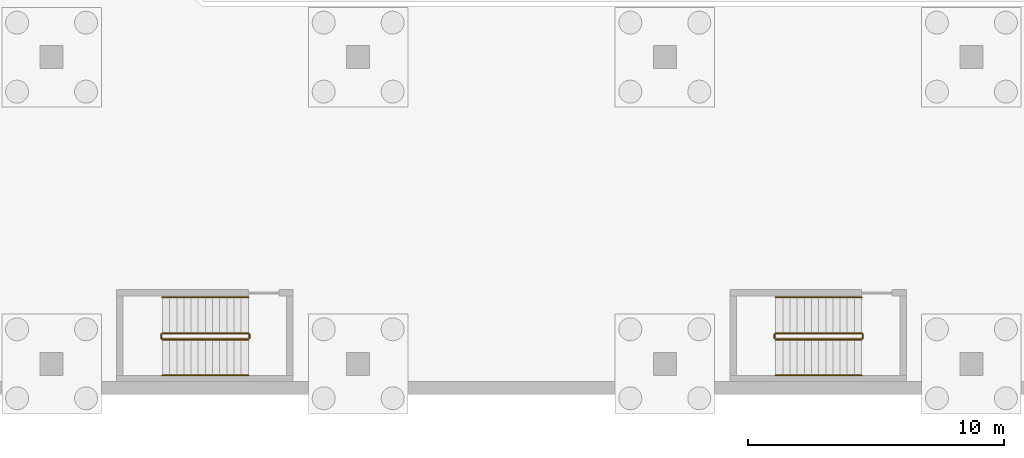
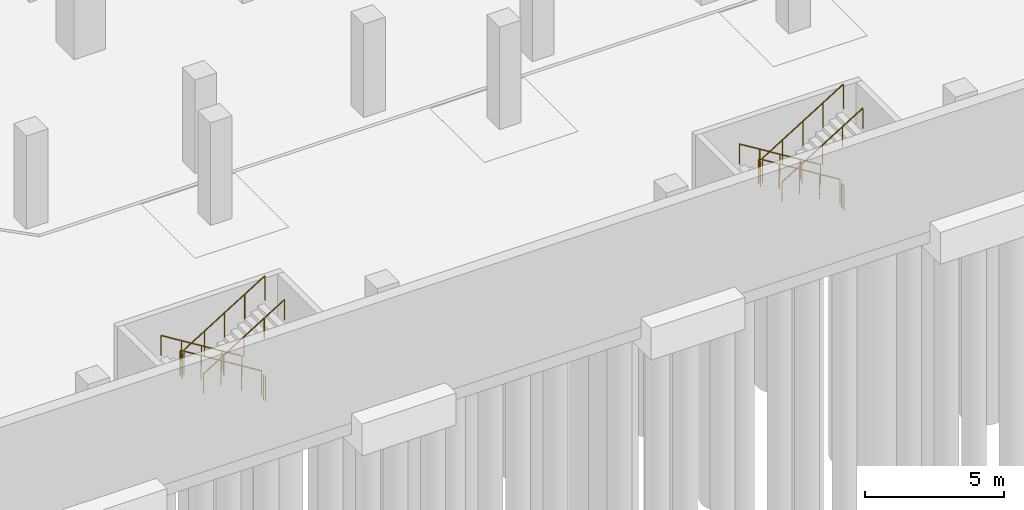
# One storey, part 13 of 15: 12 railings.
"""IFC4 building model written with IfcOpenShell, lengths in metres."""

from ifc_helpers import new_model, si_unit, direction, frame, origin, origin_2d, place, context, subcontext, project, spatial, circle, extrude, material, type_object, element, save


model = new_model("IFC4")

# Units and contexts
model_context = context("Model", 3, precision=1e-05, world=origin(), true_north=direction((0.0, 1.0)))
body_context = subcontext(model_context, "Body", "Model", "MODEL_VIEW")
ifc_project = project(units=[si_unit("LENGTHUNIT", "METRE"), si_unit("AREAUNIT", "SQUARE_METRE"), si_unit("VOLUMEUNIT", "CUBIC_METRE"), si_unit("PLANEANGLEUNIT", "RADIAN"), si_unit("MASSUNIT", "GRAM", prefix="KILO")], contexts=[model_context])

# Site, building, storey
site_placement = place(None, origin())
site = spatial("IfcSite", under=ifc_project, at=site_placement, CompositionType="ELEMENT")
building_placement = place(site_placement, origin())
building = spatial("IfcBuilding", under=site, at=building_placement, Name="Kilnfold Tower and Market Hall", CompositionType="ELEMENT")
storey_placement = place(building_placement, frame((0.0, 0.0, -9.0)))
storey = spatial("IfcBuildingStorey", under=building, at=storey_placement, Name="B2", CompositionType="ELEMENT", Elevation=-9.0)

# Railings
ifc_material_1 = material(Name="Stainless steel 316", Category="steel")
railing_type_1 = type_object("IfcRailingType", Name="CAR PARK STAIR GUARD 1100", PredefinedType="GUARDRAIL", material=ifc_material_1)
railing_1_placement = place(storey_placement, frame((-22.949951171875, -41.449951171875, 0.173095703125)))
element("IfcRailing", 1, at=railing_1_placement, inside=storey, type_object=railing_type_1, Name="B2 CS1 stair guard 1", PredefinedType="GUARDRAIL", context=body_context, shape_type="SweptSolid", body=[
    extrude(circle(Radius=0.02392578125, at=origin_2d()), frame((0.0, 0.0, 1.076171875), z_axis=(-0.850623216509, 0.0, 0.525775754039), x_axis=(0.0, -1.0, 0.0)), (0.0, 0.0, 1.0), 3.9501953125),
    extrude(circle(Radius=0.02099609375, at=origin_2d()), origin(), (0.0, 0.0, 1.0), 1.052001953125),
    extrude(circle(Radius=0.02099609375, at=origin_2d()), frame((-0.840087890625, 0.0, 0.519287109375)), (0.0, 0.0, 1.0), 1.052001953125),
    extrude(circle(Radius=0.02099609375, at=origin_2d()), frame((-1.68017578125, 0.0, 1.03857421875)), (0.0, 0.0, 1.0), 1.052001953125),
    extrude(circle(Radius=0.02099609375, at=origin_2d()), frame((-2.52001953125, 0.0, 1.5576171875)), (0.0, 0.0, 1.0), 1.052001953125),
    extrude(circle(Radius=0.02099609375, at=origin_2d()), frame((-3.360107421875, 0.0, 2.076904296875)), (0.0, 0.0, 1.0), 1.052001953125),
])
railing_2_placement = place(storey_placement, frame((-26.360107421875, -41.5, 2.25)))
element("IfcRailing", 2, at=railing_2_placement, inside=storey, type_object=railing_type_1, Name="B2 CS1 stair guard 2", PredefinedType="GUARDRAIL", context=body_context, shape_type="SweptSolid", body=[
    extrude(circle(Radius=0.02392578125, at=origin_2d()), frame((0.0, 0.0, 1.076171875), z_axis=(0.0, -1.0, 0.0), x_axis=(1.0, 0.0, 0.0)), (0.0, 0.0, 1.0), 0.14990234375),
    extrude(circle(Radius=0.02099609375, at=origin_2d()), origin(), (0.0, 0.0, 1.0), 1.052001953125),
    extrude(circle(Radius=0.02099609375, at=origin_2d()), frame((0.0, -0.14990234375, 0.0)), (0.0, 0.0, 1.0), 1.052001953125),
])
railing_3_placement = place(storey_placement, frame((-26.31005859375, -41.699951171875, 2.423095703125)))
element("IfcRailing", 3, at=railing_3_placement, inside=storey, type_object=railing_type_1, Name="B2 CS1 stair guard 3", PredefinedType="GUARDRAIL", context=body_context, shape_type="SweptSolid", body=[
    extrude(circle(Radius=0.02392578125, at=origin_2d()), frame((0.0, 0.0, 1.076171875), z_axis=(0.850623216509, 0.0, 0.525775754039), x_axis=(0.0, 1.0, 0.0)), (0.0, 0.0, 1.0), 3.9501953125),
    extrude(circle(Radius=0.02099609375, at=origin_2d()), origin(), (0.0, 0.0, 1.0), 1.052001953125),
    extrude(circle(Radius=0.02099609375, at=origin_2d()), frame((0.840087890625, 0.0, 0.519287109375)), (0.0, 0.0, 1.0), 1.052001953125),
    extrude(circle(Radius=0.02099609375, at=origin_2d()), frame((1.68017578125, 0.0, 1.03857421875)), (0.0, 0.0, 1.0), 1.052001953125),
    extrude(circle(Radius=0.02099609375, at=origin_2d()), frame((2.52001953125, 0.0, 1.5576171875)), (0.0, 0.0, 1.0), 1.052001953125),
    extrude(circle(Radius=0.02099609375, at=origin_2d()), frame((3.360107421875, 0.0, 2.076904296875)), (0.0, 0.0, 1.0), 1.052001953125),
])
railing_4_placement = place(storey_placement, frame((-22.89990234375, -41.5, 0.0)))
element("IfcRailing", 4, at=railing_4_placement, inside=storey, type_object=railing_type_1, Name="B2 CS1 stair guard 4", PredefinedType="GUARDRAIL", context=body_context, shape_type="SweptSolid", body=[
    extrude(circle(Radius=0.02392578125, at=origin_2d()), frame((0.0, 0.0, 1.076171875), z_axis=(0.0, -1.0, 0.0), x_axis=(1.0, 0.0, 0.0)), (0.0, 0.0, 1.0), 0.14990234375),
    extrude(circle(Radius=0.02099609375, at=origin_2d()), origin(), (0.0, 0.0, 1.0), 1.052001953125),
    extrude(circle(Radius=0.02099609375, at=origin_2d()), frame((0.0, -0.14990234375, 0.0)), (0.0, 0.0, 1.0), 1.052001953125),
])
railing_5_placement = place(storey_placement, frame((1.050048828125, -41.449951171875, 0.173095703125)))
element("IfcRailing", 5, at=railing_5_placement, inside=storey, type_object=railing_type_1, Name="B2 CS2 stair guard 1", PredefinedType="GUARDRAIL", context=body_context, shape_type="SweptSolid", body=[
    extrude(circle(Radius=0.02392578125, at=origin_2d()), frame((0.0, 0.0, 1.076171875), z_axis=(-0.850623216509, 0.0, 0.525775754039), x_axis=(0.0, -1.0, 0.0)), (0.0, 0.0, 1.0), 3.9501953125),
    extrude(circle(Radius=0.02099609375, at=origin_2d()), origin(), (0.0, 0.0, 1.0), 1.052001953125),
    extrude(circle(Radius=0.02099609375, at=origin_2d()), frame((-0.840087890625, 0.0, 0.519287109375)), (0.0, 0.0, 1.0), 1.052001953125),
    extrude(circle(Radius=0.02099609375, at=origin_2d()), frame((-1.68017578125, 0.0, 1.03857421875)), (0.0, 0.0, 1.0), 1.052001953125),
    extrude(circle(Radius=0.02099609375, at=origin_2d()), frame((-2.52001953125, 0.0, 1.5576171875)), (0.0, 0.0, 1.0), 1.052001953125),
    extrude(circle(Radius=0.02099609375, at=origin_2d()), frame((-3.360107421875, 0.0, 2.076904296875)), (0.0, 0.0, 1.0), 1.052001953125),
])
railing_6_placement = place(storey_placement, frame((-2.360107421875, -41.5, 2.25)))
element("IfcRailing", 6, at=railing_6_placement, inside=storey, type_object=railing_type_1, Name="B2 CS2 stair guard 2", PredefinedType="GUARDRAIL", context=body_context, shape_type="SweptSolid", body=[
    extrude(circle(Radius=0.02392578125, at=origin_2d()), frame((0.0, 0.0, 1.076171875), z_axis=(0.0, -1.0, 0.0), x_axis=(1.0, 0.0, 0.0)), (0.0, 0.0, 1.0), 0.14990234375),
    extrude(circle(Radius=0.02099609375, at=origin_2d()), origin(), (0.0, 0.0, 1.0), 1.052001953125),
    extrude(circle(Radius=0.02099609375, at=origin_2d()), frame((0.0, -0.14990234375, 0.0)), (0.0, 0.0, 1.0), 1.052001953125),
])
railing_7_placement = place(storey_placement, frame((-2.31005859375, -41.699951171875, 2.423095703125)))
element("IfcRailing", 7, at=railing_7_placement, inside=storey, type_object=railing_type_1, Name="B2 CS2 stair guard 3", PredefinedType="GUARDRAIL", context=body_context, shape_type="SweptSolid", body=[
    extrude(circle(Radius=0.02392578125, at=origin_2d()), frame((0.0, 0.0, 1.076171875), z_axis=(0.850623216509, 0.0, 0.525775754039), x_axis=(0.0, 1.0, 0.0)), (0.0, 0.0, 1.0), 3.9501953125),
    extrude(circle(Radius=0.02099609375, at=origin_2d()), origin(), (0.0, 0.0, 1.0), 1.052001953125),
    extrude(circle(Radius=0.02099609375, at=origin_2d()), frame((0.840087890625, 0.0, 0.519287109375)), (0.0, 0.0, 1.0), 1.052001953125),
    extrude(circle(Radius=0.02099609375, at=origin_2d()), frame((1.68017578125, 0.0, 1.03857421875)), (0.0, 0.0, 1.0), 1.052001953125),
    extrude(circle(Radius=0.02099609375, at=origin_2d()), frame((2.52001953125, 0.0, 1.5576171875)), (0.0, 0.0, 1.0), 1.052001953125),
    extrude(circle(Radius=0.02099609375, at=origin_2d()), frame((3.360107421875, 0.0, 2.076904296875)), (0.0, 0.0, 1.0), 1.052001953125),
])
railing_8_placement = place(storey_placement, frame((1.10009765625, -41.5, 0.0)))
element("IfcRailing", 8, at=railing_8_placement, inside=storey, type_object=railing_type_1, Name="B2 CS2 stair guard 4", PredefinedType="GUARDRAIL", context=body_context, shape_type="SweptSolid", body=[
    extrude(circle(Radius=0.02392578125, at=origin_2d()), frame((0.0, 0.0, 1.076171875), z_axis=(0.0, -1.0, 0.0), x_axis=(1.0, 0.0, 0.0)), (0.0, 0.0, 1.0), 0.14990234375),
    extrude(circle(Radius=0.02099609375, at=origin_2d()), origin(), (0.0, 0.0, 1.0), 1.052001953125),
    extrude(circle(Radius=0.02099609375, at=origin_2d()), frame((0.0, -0.14990234375, 0.0)), (0.0, 0.0, 1.0), 1.052001953125),
])
ifc_material_2 = material(Name="Stainless steel 316", Category="steel")
railing_type_2 = type_object("IfcRailingType", Name="CAR PARK STAIR HANDRAIL 900", PredefinedType="HANDRAIL", material=ifc_material_2)
railing_9_placement = place(storey_placement, frame((-22.949951171875, -40.050048828125, 0.173095703125)))
element("IfcRailing", 9, at=railing_9_placement, inside=storey, type_object=railing_type_2, Name="B2 CS1 stair handrail 1", PredefinedType="HANDRAIL", context=body_context, shape_type="SweptSolid", body=[
    extrude(circle(Radius=0.02392578125, at=origin_2d()), frame((0.0, 0.0, 0.8759765625), z_axis=(-0.850623216509, 0.0, 0.525775754039), x_axis=(0.0, -1.0, 0.0)), (0.0, 0.0, 1.0), 3.9501953125),
    extrude(circle(Radius=0.02099609375, at=origin_2d()), origin(), (0.0, 0.0, 1.0), 0.851806640625),
    extrude(circle(Radius=0.02099609375, at=origin_2d()), frame((-0.840087890625, 0.0, 0.519287109375)), (0.0, 0.0, 1.0), 0.851806640625),
    extrude(circle(Radius=0.02099609375, at=origin_2d()), frame((-1.68017578125, 0.0, 1.03857421875)), (0.0, 0.0, 1.0), 0.851806640625),
    extrude(circle(Radius=0.02099609375, at=origin_2d()), frame((-2.52001953125, 0.0, 1.5576171875)), (0.0, 0.0, 1.0), 0.851806640625),
    extrude(circle(Radius=0.02099609375, at=origin_2d()), frame((-3.360107421875, 0.0, 2.076904296875)), (0.0, 0.0, 1.0), 0.851806640625),
])
railing_10_placement = place(storey_placement, frame((-26.31005859375, -43.10009765625, 2.423095703125)))
element("IfcRailing", 10, at=railing_10_placement, inside=storey, type_object=railing_type_2, Name="B2 CS1 stair handrail 2", PredefinedType="HANDRAIL", context=body_context, shape_type="SweptSolid", body=[
    extrude(circle(Radius=0.02392578125, at=origin_2d()), frame((0.0, 0.0, 0.8759765625), z_axis=(0.850623216509, 0.0, 0.525775754039), x_axis=(0.0, 1.0, 0.0)), (0.0, 0.0, 1.0), 3.9501953125),
    extrude(circle(Radius=0.02099609375, at=origin_2d()), origin(), (0.0, 0.0, 1.0), 0.851806640625),
    extrude(circle(Radius=0.02099609375, at=origin_2d()), frame((0.840087890625, 0.0, 0.519287109375)), (0.0, 0.0, 1.0), 0.851806640625),
    extrude(circle(Radius=0.02099609375, at=origin_2d()), frame((1.68017578125, 0.0, 1.03857421875)), (0.0, 0.0, 1.0), 0.851806640625),
    extrude(circle(Radius=0.02099609375, at=origin_2d()), frame((2.52001953125, 0.0, 1.5576171875)), (0.0, 0.0, 1.0), 0.851806640625),
    extrude(circle(Radius=0.02099609375, at=origin_2d()), frame((3.360107421875, 0.0, 2.076904296875)), (0.0, 0.0, 1.0), 0.851806640625),
])
railing_11_placement = place(storey_placement, frame((1.050048828125, -40.050048828125, 0.173095703125)))
element("IfcRailing", 11, at=railing_11_placement, inside=storey, type_object=railing_type_2, Name="B2 CS2 stair handrail 1", PredefinedType="HANDRAIL", context=body_context, shape_type="SweptSolid", body=[
    extrude(circle(Radius=0.02392578125, at=origin_2d()), frame((0.0, 0.0, 0.8759765625), z_axis=(-0.850623216509, 0.0, 0.525775754039), x_axis=(0.0, -1.0, 0.0)), (0.0, 0.0, 1.0), 3.9501953125),
    extrude(circle(Radius=0.02099609375, at=origin_2d()), origin(), (0.0, 0.0, 1.0), 0.851806640625),
    extrude(circle(Radius=0.02099609375, at=origin_2d()), frame((-0.840087890625, 0.0, 0.519287109375)), (0.0, 0.0, 1.0), 0.851806640625),
    extrude(circle(Radius=0.02099609375, at=origin_2d()), frame((-1.68017578125, 0.0, 1.03857421875)), (0.0, 0.0, 1.0), 0.851806640625),
    extrude(circle(Radius=0.02099609375, at=origin_2d()), frame((-2.52001953125, 0.0, 1.5576171875)), (0.0, 0.0, 1.0), 0.851806640625),
    extrude(circle(Radius=0.02099609375, at=origin_2d()), frame((-3.360107421875, 0.0, 2.076904296875)), (0.0, 0.0, 1.0), 0.851806640625),
])
railing_12_placement = place(storey_placement, frame((-2.31005859375, -43.10009765625, 2.423095703125)))
element("IfcRailing", 12, at=railing_12_placement, inside=storey, type_object=railing_type_2, Name="B2 CS2 stair handrail 2", PredefinedType="HANDRAIL", context=body_context, shape_type="SweptSolid", body=[
    extrude(circle(Radius=0.02392578125, at=origin_2d()), frame((0.0, 0.0, 0.8759765625), z_axis=(0.850623216509, 0.0, 0.525775754039), x_axis=(0.0, 1.0, 0.0)), (0.0, 0.0, 1.0), 3.9501953125),
    extrude(circle(Radius=0.02099609375, at=origin_2d()), origin(), (0.0, 0.0, 1.0), 0.851806640625),
    extrude(circle(Radius=0.02099609375, at=origin_2d()), frame((0.840087890625, 0.0, 0.519287109375)), (0.0, 0.0, 1.0), 0.851806640625),
    extrude(circle(Radius=0.02099609375, at=origin_2d()), frame((1.68017578125, 0.0, 1.03857421875)), (0.0, 0.0, 1.0), 0.851806640625),
    extrude(circle(Radius=0.02099609375, at=origin_2d()), frame((2.52001953125, 0.0, 1.5576171875)), (0.0, 0.0, 1.0), 0.851806640625),
    extrude(circle(Radius=0.02099609375, at=origin_2d()), frame((3.360107421875, 0.0, 2.076904296875)), (0.0, 0.0, 1.0), 0.851806640625),
])

save(model, "model.ifc")
